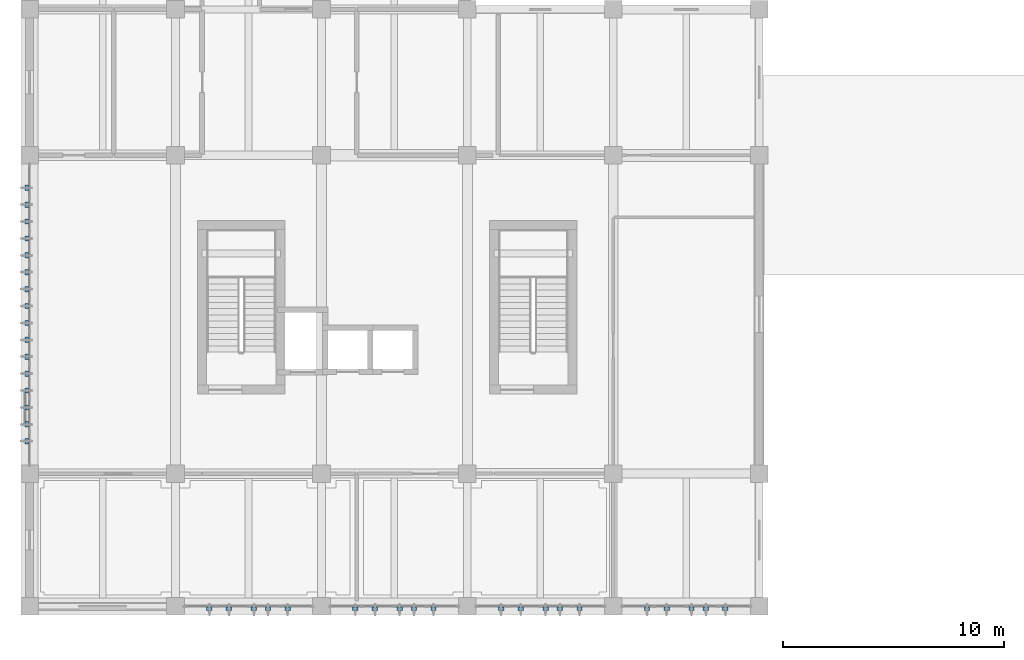
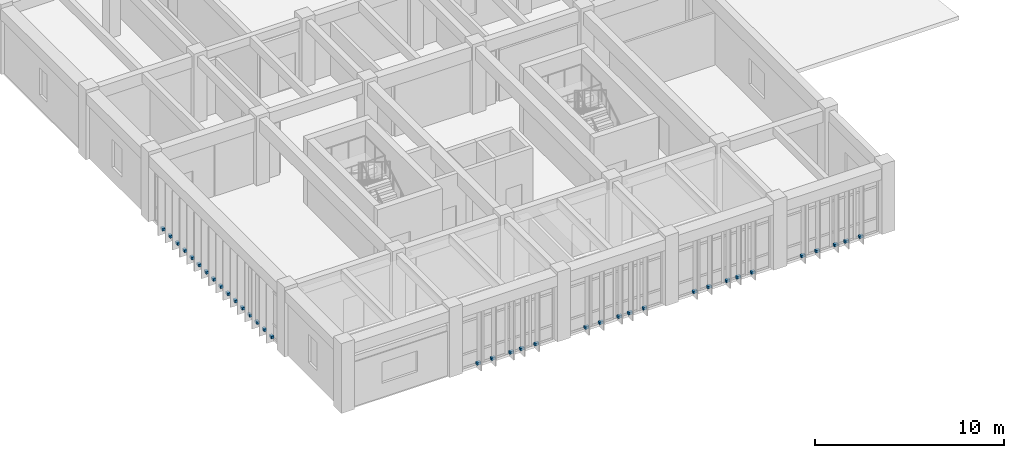
# One storey, part 32 of 34: 36 discrete accessories.
"""IFC4 building model written with IfcOpenShell, lengths in metres."""

from ifc_helpers import new_model, si_unit, direction, frame, origin, origin_2d, place, context, subcontext, project, spatial, rectangle, extrude, material, type_object, element, save


model = new_model("IFC4")

# Units and contexts
model_context = context("Model", 3, precision=1e-05, world=origin(), true_north=direction((0.0, 1.0)))
body_context = subcontext(model_context, "Body", "Model", "MODEL_VIEW")
ifc_project = project(units=[si_unit("LENGTHUNIT", "METRE"), si_unit("AREAUNIT", "SQUARE_METRE"), si_unit("VOLUMEUNIT", "CUBIC_METRE"), si_unit("PLANEANGLEUNIT", "RADIAN"), si_unit("MASSUNIT", "GRAM", prefix="KILO")], contexts=[model_context])

# Site, building, storey
site_placement = place(None, origin())
site = spatial("IfcSite", under=ifc_project, at=site_placement, CompositionType="ELEMENT")
building_placement = place(site_placement, origin())
building = spatial("IfcBuilding", under=site, at=building_placement, Name="Miralva Faculty of Natural Sciences", CompositionType="ELEMENT")
storey_placement = place(building_placement, frame((0.0, 0.0, 24.0)))
storey = spatial("IfcBuildingStorey", under=building, at=storey_placement, Name="L05", CompositionType="ELEMENT", Elevation=24.0)

# Discrete accessories
ifc_material = material(Name="Steel S355", Category="steel")
discrete_accessory_type = type_object("IfcDiscreteAccessoryType", Name="ACC-BRK01", PredefinedType="BRACKET", material=ifc_material)
for number, where, z_axis, x_axis, name in (
    (1, (11.1279296875, 2.8798828125, 0.0400390625), (0.0, 0.0, 1.0), (0.0, -1.0, 0.0), "Solar fin bracket L05-333"),
    (2, (12.013916015625, 2.8798828125, 0.0400390625), (0.0, 0.0, 1.0), (0.0, -1.0, 0.0), "Solar fin bracket L05-334"),
    (3, (13.139892578125, 2.8798828125, 0.0400390625), (0.0, 0.0, 1.0), (0.0, -1.0, 0.0), "Solar fin bracket L05-335"),
    (4, (13.785888671875, 2.8798828125, 0.0400390625), (0.0, 0.0, 1.0), (0.0, -1.0, 0.0), "Solar fin bracket L05-336"),
    (5, (14.672119140625, 2.8798828125, 0.0400390625), (0.0, 0.0, 1.0), (0.0, -1.0, 0.0), "Solar fin bracket L05-337"),
    (6, (17.72802734375, 2.8798828125, 0.0400390625), (0.0, 0.0, 1.0), (0.0, -1.0, 0.0), "Solar fin bracket L05-338"),
    (7, (18.614013671875, 2.8798828125, 0.0400390625), (0.0, 0.0, 1.0), (0.0, -1.0, 0.0), "Solar fin bracket L05-339"),
    (8, (19.739990234375, 2.8798828125, 0.0400390625), (0.0, 0.0, 1.0), (0.0, -1.0, 0.0), "Solar fin bracket L05-340"),
    (9, (20.385986328125, 2.8798828125, 0.0400390625), (0.0, 0.0, 1.0), (0.0, -1.0, 0.0), "Solar fin bracket L05-341"),
    (10, (21.27197265625, 2.8798828125, 0.0400390625), (0.0, 0.0, 1.0), (0.0, -1.0, 0.0), "Solar fin bracket L05-342"),
    (11, (24.327880859375, 2.8798828125, 0.0400390625), (0.0, 0.0, 1.0), (0.0, -1.0, 0.0), "Solar fin bracket L05-343"),
    (12, (25.214111328125, 2.8798828125, 0.0400390625), (0.0, 0.0, 1.0), (0.0, -1.0, 0.0), "Solar fin bracket L05-344"),
    (13, (26.340087890625, 2.8798828125, 0.0400390625), (0.0, 0.0, 1.0), (0.0, -1.0, 0.0), "Solar fin bracket L05-345"),
    (14, (26.986083984375, 2.8798828125, 0.0400390625), (0.0, 0.0, 1.0), (0.0, -1.0, 0.0), "Solar fin bracket L05-346"),
    (15, (27.8720703125, 2.8798828125, 0.0400390625), (0.0, 0.0, 1.0), (0.0, -1.0, 0.0), "Solar fin bracket L05-347"),
    (16, (30.927978515625, 2.8798828125, 0.0400390625), (0.0, 0.0, 1.0), (0.0, -1.0, 0.0), "Solar fin bracket L05-348"),
    (17, (31.81396484375, 2.8798828125, 0.0400390625), (0.0, 0.0, 1.0), (0.0, -1.0, 0.0), "Solar fin bracket L05-349"),
    (18, (32.93994140625, 2.8798828125, 0.0400390625), (0.0, 0.0, 1.0), (0.0, -1.0, 0.0), "Solar fin bracket L05-350"),
    (19, (33.5859375, 2.8798828125, 0.0400390625), (0.0, 0.0, 1.0), (0.0, -1.0, 0.0), "Solar fin bracket L05-351"),
    (20, (34.471923828125, 2.8798828125, 0.0400390625), (0.0, 0.0, 1.0), (0.0, -1.0, 0.0), "Solar fin bracket L05-352"),
    (21, (2.8798828125, 10.46728515625, 0.0400390625), (0.0, 0.0, 1.0), (-1.0, 0.0, 0.0), "Solar fin bracket L05-353"),
    (22, (2.8798828125, 11.231689453125, 0.0400390625), (0.0, 0.0, 1.0), (-1.0, 0.0, 0.0), "Solar fin bracket L05-354"),
    (23, (2.8798828125, 11.995849609375, 0.0400390625), (0.0, 0.0, 1.0), (-1.0, 0.0, 0.0), "Solar fin bracket L05-355"),
    (24, (2.8798828125, 12.76025390625, 0.0400390625), (0.0, 0.0, 1.0), (-1.0, 0.0, 0.0), "Solar fin bracket L05-356"),
    (25, (2.8798828125, 13.524658203125, 0.0400390625), (0.0, 0.0, 1.0), (-1.0, 0.0, 0.0), "Solar fin bracket L05-357"),
    (26, (2.8798828125, 14.2890625, 0.0400390625), (0.0, 0.0, 1.0), (-1.0, 0.0, 0.0), "Solar fin bracket L05-358"),
    (27, (2.8798828125, 15.053466796875, 0.0400390625), (0.0, 0.0, 1.0), (-1.0, 0.0, 0.0), "Solar fin bracket L05-359"),
    (28, (2.8798828125, 15.81787109375, 0.0400390625), (0.0, 0.0, 1.0), (-1.0, 0.0, 0.0), "Solar fin bracket L05-360"),
    (29, (2.8798828125, 16.582275390625, 0.0400390625), (0.0, 0.0, 1.0), (-1.0, 0.0, 0.0), "Solar fin bracket L05-361"),
    (30, (2.8798828125, 17.3466796875, 0.0400390625), (0.0, 0.0, 1.0), (-1.0, 0.0, 0.0), "Solar fin bracket L05-362"),
    (31, (2.8798828125, 18.11083984375, 0.0400390625), (0.0, 0.0, 1.0), (-1.0, 0.0, 0.0), "Solar fin bracket L05-363"),
    (32, (2.8798828125, 18.875244140625, 0.0400390625), (0.0, 0.0, 1.0), (-1.0, 0.0, 0.0), "Solar fin bracket L05-364"),
    (33, (2.8798828125, 19.6396484375, 0.0400390625), (0.0, 0.0, 1.0), (-1.0, 0.0, 0.0), "Solar fin bracket L05-365"),
    (34, (2.8798828125, 20.404052734375, 0.0400390625), (0.0, 0.0, 1.0), (-1.0, 0.0, 0.0), "Solar fin bracket L05-366"),
    (35, (2.8798828125, 21.16845703125, 0.0400390625), (0.0, 0.0, 1.0), (-1.0, 0.0, 0.0), "Solar fin bracket L05-367"),
    (36, (2.8798828125, 21.932861328125, 0.0400390625), (0.0, 0.0, 1.0), (-1.0, 0.0, 0.0), "Solar fin bracket L05-368"),
):
    element("IfcDiscreteAccessory", number, at=place(storey_placement, frame(where, z_axis=z_axis, x_axis=x_axis)), inside=storey, type_object=discrete_accessory_type, Name=name, PredefinedType="BRACKET", context=body_context, shape_type="SweptSolid", body=[
        extrude(rectangle(XDim=0.159912109375, YDim=0.239990234375, at=origin_2d()), origin(), (0.0, 0.0, 1.0), 0.159912109375),
    ])

save(model, "model.ifc")
